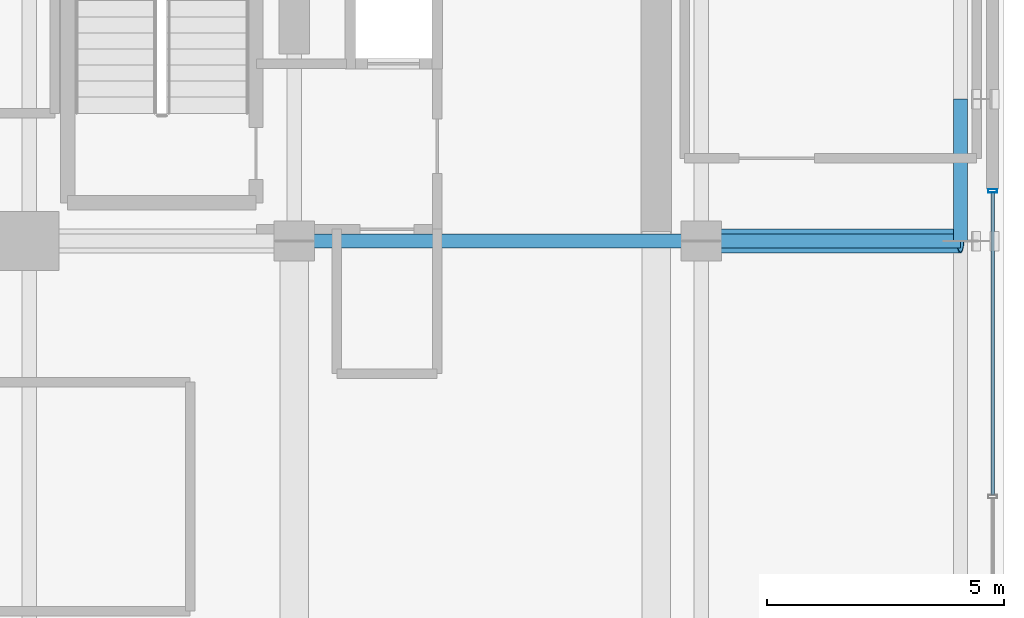
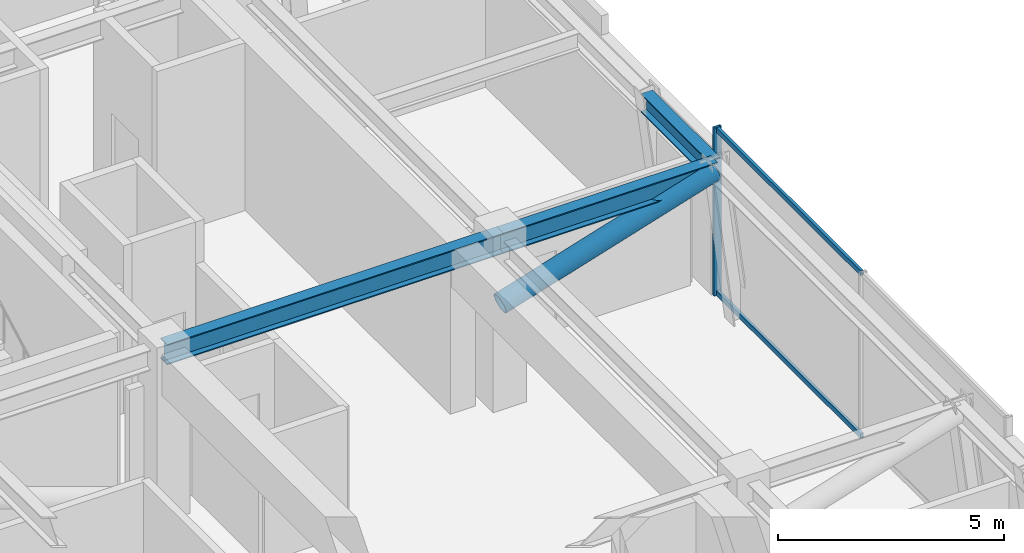
# One storey, part 7 of 15: 4 members, 3 beams, 1 element without a shape of its own.
"""IFC4 building model written with IfcOpenShell, lengths in metres."""

from ifc_helpers import new_model, si_unit, direction, frame, origin, origin_2d, place, context, subcontext, project, spatial, hollow_rectangle, hollow_circle, i_section, extrude, source, transform, mapped, material, material_profile, profile_set, type_object, element, aggregate, save


model = new_model("IFC4")

# Units and contexts
model_context = context("Model", 3, precision=1e-05, world=origin(), true_north=direction((0.0, 1.0)))
body_context = subcontext(model_context, "Body", "Model", "MODEL_VIEW")
ifc_project = project(units=[si_unit("LENGTHUNIT", "METRE"), si_unit("AREAUNIT", "SQUARE_METRE"), si_unit("VOLUMEUNIT", "CUBIC_METRE"), si_unit("PLANEANGLEUNIT", "RADIAN"), si_unit("MASSUNIT", "GRAM", prefix="KILO")], contexts=[model_context])

# Site, building, storey
site_placement = place(None, origin())
site = spatial("IfcSite", under=ifc_project, at=site_placement, CompositionType="ELEMENT")
building_placement = place(site_placement, origin())
building = spatial("IfcBuilding", under=site, at=building_placement, Name="Nahalor Promenade Grand Hotel", CompositionType="ELEMENT")
storey_placement = place(building_placement, frame((0.0, 0.0, 144.199951171875)))
storey = spatial("IfcBuildingStorey", under=building, at=storey_placement, Name="L36", CompositionType="ELEMENT", Elevation=144.199951171875)

# Beams
ifc_material_1 = material(Name="Steel S355JR", Category="steel")
ifc_material_profile_1 = material_profile(ifc_material_1, i_section(OverallWidth=0.3, OverallDepth=0.5, WebThickness=0.0145, FlangeThickness=0.028, at=origin_2d()), Name="HEB 500")
ifc_profile_set_1 = profile_set([ifc_material_profile_1], Name="Steel S355JR")
beam_type_1 = type_object("IfcBeamType", Name="Beam-Spandrel-HEB500", PredefinedType="SPANDREL", material=ifc_profile_set_1)
shared_shape_1 = source(origin(), body_context, "Body", "SweptSolid", [
    extrude(i_section(OverallWidth=0.3, OverallDepth=0.5, WebThickness=0.0145, FlangeThickness=0.028, at=origin_2d()), origin(), (0.0, 0.0, 1.0), 3.0),
])
beam_1_placement = place(storey_placement, frame((22.47998046875, 5.39990234375, 4.2900390625), z_axis=(0.0, 1.0, 0.0), x_axis=(-1.0, 0.0, 0.0)))
element("IfcBeam", 1, at=beam_1_placement, inside=storey, type_object=beam_type_1, Name="BM-L36-SP-E-3", PredefinedType="SPANDREL", context=body_context, shape_type="MappedRepresentation", body=[
    mapped(shared_shape_1, transform((0.0, 0.0, 0.0), scale=1.0)),
])
ifc_material_profile_2 = material_profile(ifc_material_1, i_section(OverallWidth=0.3, OverallDepth=0.55, WebThickness=0.015, FlangeThickness=0.029, at=origin_2d()), Name="HEB 550")
ifc_profile_set_2 = profile_set([ifc_material_profile_2], Name="Steel S355JR")
beam_type_2 = type_object("IfcBeamType", Name="Beam-Girder-HEB550", PredefinedType="BEAM", material=ifc_profile_set_2)
shared_shape_2 = source(origin(), body_context, "Body", "SweptSolid", [
    extrude(i_section(OverallWidth=0.3, OverallDepth=0.55, WebThickness=0.015, FlangeThickness=0.029, at=origin_2d()), origin(), (0.0, 0.0, 1.0), 8.60009765625),
])
beam_2_placement = place(storey_placement, frame((8.39990234375, 5.39990234375, 4.26513671875), z_axis=(1.0, 0.0, 0.0), x_axis=(0.0, 1.0, 0.0)))
element("IfcBeam", 2, at=beam_2_placement, inside=storey, type_object=beam_type_2, Name="BM-L36-GX-2-5", PredefinedType="BEAM", context=body_context, shape_type="MappedRepresentation", body=[
    mapped(shared_shape_2, transform((0.0, 0.0, 0.0), scale=1.0)),
])
shared_shape_3 = source(origin(), body_context, "Body", "SweptSolid", [
    extrude(i_section(OverallWidth=0.3, OverallDepth=0.55, WebThickness=0.015, FlangeThickness=0.029, at=origin_2d()), origin(), (0.0, 0.0, 1.0), 5.47998046875),
])
beam_3_placement = place(storey_placement, frame((17.0, 5.39990234375, 4.26513671875), z_axis=(1.0, 0.0, 0.0), x_axis=(0.0, 1.0, 0.0)))
element("IfcBeam", 3, at=beam_3_placement, inside=storey, type_object=beam_type_2, Name="BM-L36-GX-2-6", PredefinedType="BEAM", context=body_context, shape_type="MappedRepresentation", body=[
    mapped(shared_shape_3, transform((0.0, 0.0, 0.0), scale=1.0)),
])

# Member
ifc_material_2 = material(Name="Steel S355J2", Category="steel")
ifc_material_profile_3 = material_profile(ifc_material_2, hollow_circle(Radius=0.254, WallThickness=0.025, at=origin_2d()), Name="CHS 508x25")
ifc_profile_set_3 = profile_set([ifc_material_profile_3], Name="Steel S355J2")
member_type_1 = type_object("IfcMemberType", Name="Mem-OutDiag-CHS508", PredefinedType="BRACE", material=ifc_profile_set_3)
shared_shape_4 = source(origin(), body_context, "Body", "SweptSolid", [
    extrude(hollow_circle(Radius=0.254, WallThickness=0.025, at=origin_2d()), origin(), (0.0, 0.0, 1.0), 5.737548828125),
])
member_1_placement = place(storey_placement, frame((17.0, 5.39990234375, 2.550048828125), z_axis=(0.955100265777, 0.0, 0.296282774241), x_axis=(0.0, 1.0, 0.0)))
element("IfcMember", 4, at=member_1_placement, inside=storey, type_object=member_type_1, Name="OU-L36-E2-D0", PredefinedType="BRACE", context=body_context, shape_type="MappedRepresentation", body=[
    mapped(shared_shape_4, transform((0.0, 0.0, 0.0), scale=1.0)),
])

# Curtain wall, members
ifc_material_3 = material(Name="Anodised Bronze Aluminium EN AW-6063 T6", Category="aluminium")
curtain_wall_type = type_object("IfcCurtainWallType", Name="CW6 Crown Botanical Conservatory Curtain Wall", PredefinedType="USERDEFINED", material=ifc_material_3)
curtain_wall_placement = place(storey_placement, origin())
curtain_wall = element("IfcCurtainWall", 5, at=curtain_wall_placement, inside=storey, type_object=curtain_wall_type, Name="L36 Curtain Wall CW-L36-E", ObjectType="UNITISED_CURTAIN_WALL", PredefinedType="USERDEFINED")
ifc_material_profile_4 = material_profile(ifc_material_3, hollow_rectangle(XDim=0.075, YDim=0.135, WallThickness=0.004, at=origin_2d()), Name="CWT 75x135x4")
ifc_profile_set_4 = profile_set([ifc_material_profile_4], Name="Anodised Bronze Aluminium EN AW-6063 T6")
member_type_2 = type_object("IfcMemberType", Name="CWT6 Conservatory Transom 75x135", PredefinedType="USERDEFINED", material=ifc_profile_set_4)
shared_shape_5 = source(origin(), body_context, "Body", "SweptSolid", [
    extrude(hollow_rectangle(XDim=0.075, YDim=0.135, WallThickness=0.004, at=origin_2d()), origin(), (0.0, 0.0, 1.0), 6.387451171875),
])
member_2_placement = place(storey_placement, frame((23.159912109375, 0.03759765625, 0.067626953125), z_axis=(0.0, 1.0, 0.0), x_axis=(-1.0, 0.0, 0.0)))
member_2 = element("IfcMember", 6, at=member_2_placement, type_object=member_type_2, Name="CW-L36-E Transom 1-0", ObjectType="TRANSOM", PredefinedType="USERDEFINED", context=body_context, shape_type="MappedRepresentation", body=[
    mapped(shared_shape_5, transform((0.0, 0.0, 0.0), scale=1.0)),
])
member_3_placement = place(storey_placement, frame((23.159912109375, 0.03759765625, 4.47265625), z_axis=(0.0, 1.0, 0.0), x_axis=(-1.0, 0.0, 0.0)))
member_3 = element("IfcMember", 7, at=member_3_placement, type_object=member_type_2, Name="CW-L36-E Transom 1-1", ObjectType="TRANSOM", PredefinedType="USERDEFINED", context=body_context, shape_type="MappedRepresentation", body=[
    mapped(shared_shape_5, transform((0.0, 0.0, 0.0), scale=1.0)),
])
ifc_material_profile_5 = material_profile(ifc_material_3, hollow_rectangle(XDim=0.075, YDim=0.19, WallThickness=0.005, at=origin_2d()), Name="CWM 75x190x5")
ifc_profile_set_5 = profile_set([ifc_material_profile_5], Name="Anodised Bronze Aluminium EN AW-6063 T6")
member_type_3 = type_object("IfcMemberType", Name="CWM6 Conservatory Bronze Mullion 75x190", PredefinedType="MULLION", material=ifc_profile_set_5)
shared_shape_6 = source(origin(), body_context, "Body", "SweptSolid", [
    extrude(hollow_rectangle(XDim=0.075, YDim=0.19, WallThickness=0.005, at=origin_2d()), origin(), (0.0, 0.0, 1.0), 4.5400390625),
])
member_4_placement = place(storey_placement, frame((23.159912109375, 6.46240234375, 0.0), z_axis=(0.0, 0.0, 1.0), x_axis=(0.0, 1.0, 0.0)))
member_4 = element("IfcMember", 8, at=member_4_placement, type_object=member_type_3, Name="CW-L36-E Mullion 2", PredefinedType="MULLION", context=body_context, shape_type="MappedRepresentation", body=[
    mapped(shared_shape_6, transform((0.0, 0.0, 0.0), scale=1.0)),
])
aggregate(curtain_wall, [member_4, member_2, member_3])

save(model, "model.ifc")
